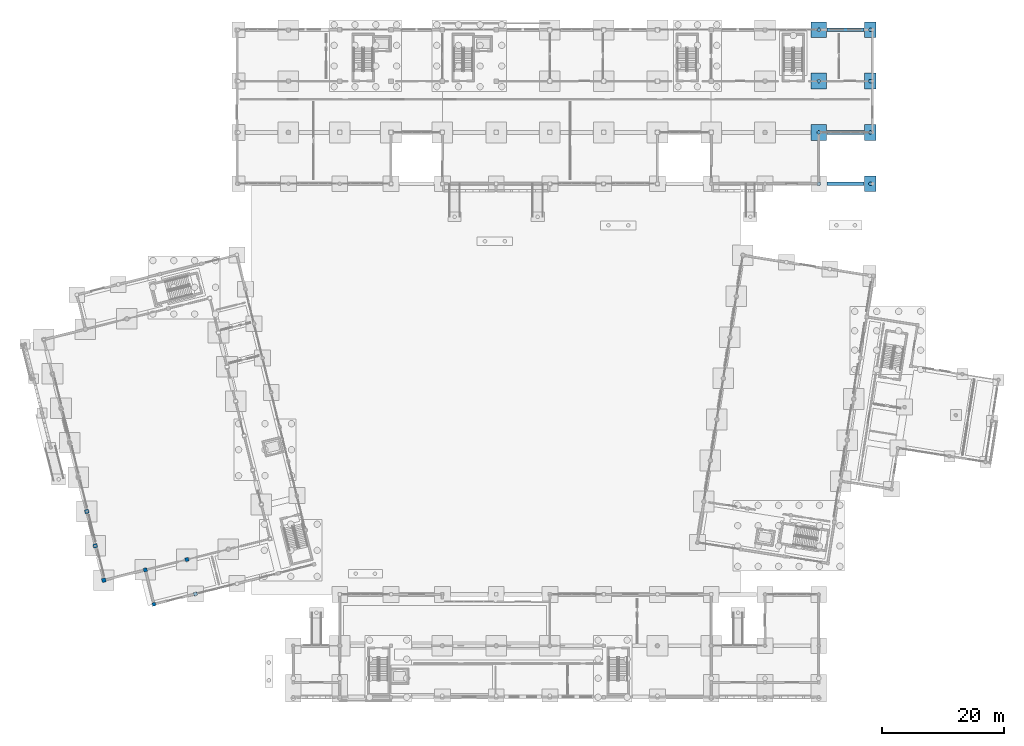
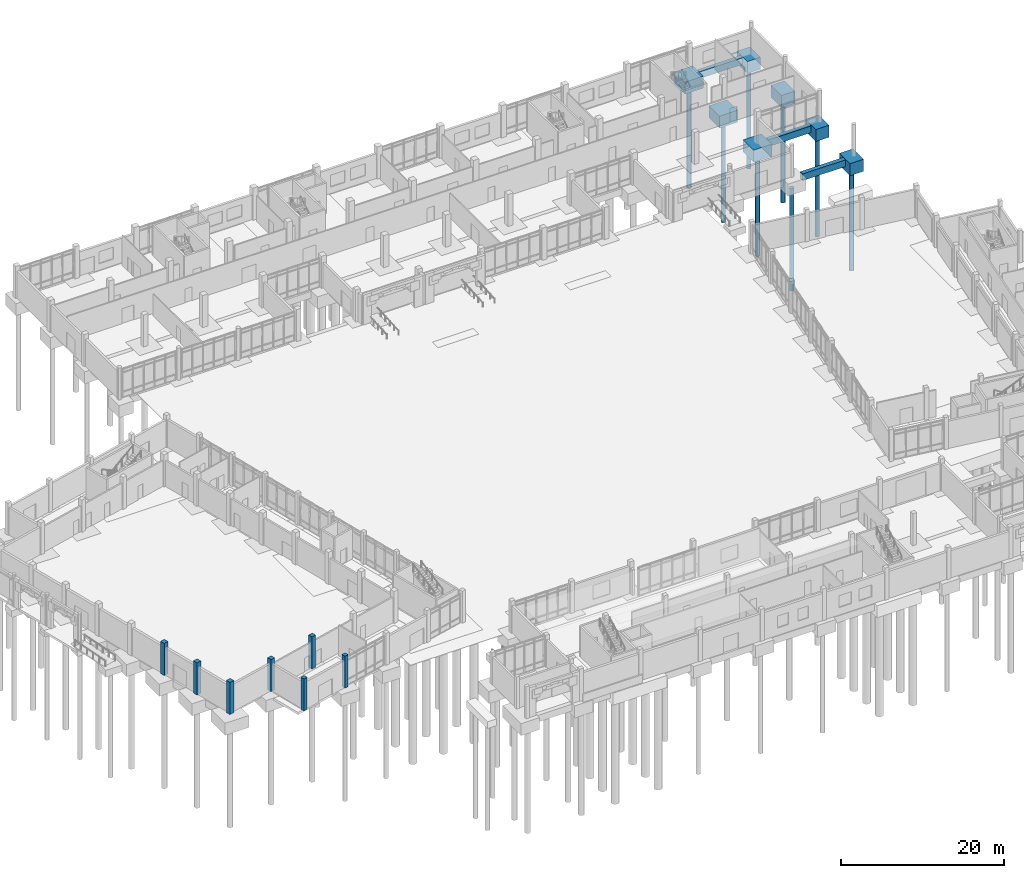
# One storey, part 4 of 72: 10 footings, 8 piles, 7 columns.
"""IFC4 building model written with IfcOpenShell, lengths in metres."""

from ifc_helpers import new_model, si_unit, direction, frame, origin, origin_2d, place, context, subcontext, project, spatial, rectangle, circle, extrude, material, material_profile, profile_set, type_object, element, save


model = new_model("IFC4")

# Units and contexts
model_context = context("Model", 3, precision=1e-05, world=origin(), true_north=direction((0.0, 1.0)))
body_context = subcontext(model_context, "Body", "Model", "MODEL_VIEW")
ifc_project = project(units=[si_unit("LENGTHUNIT", "METRE"), si_unit("AREAUNIT", "SQUARE_METRE"), si_unit("VOLUMEUNIT", "CUBIC_METRE"), si_unit("PLANEANGLEUNIT", "RADIAN"), si_unit("MASSUNIT", "GRAM", prefix="KILO")], contexts=[model_context])

# Site, building, storey
site_placement = place(None, origin())
site = spatial("IfcSite", under=ifc_project, at=site_placement, CompositionType="ELEMENT")
building_placement = place(site_placement, origin())
building = spatial("IfcBuilding", under=site, at=building_placement, Name="Cinderway Yard Community Centre", CompositionType="ELEMENT")
storey_placement = place(building_placement, origin())
storey = spatial("IfcBuildingStorey", under=building, at=storey_placement, Name="L00", CompositionType="ELEMENT", Elevation=0.0)

# Footings
ifc_material = material(Name="Concrete C40/50", Category="concrete")
footing_type_1 = type_object("IfcFootingType", Name="STR-FTG-PC06", PredefinedType="PILE_CAP", material=ifc_material)
for number, where, z_axis, x_axis, name in (
    (1, (136.800048828125, 98.39990234375, -1.7998046875), (0.0, 0.0, 1.0), (1.0, 0.0, 0.0), "Multi-pile cap 104"),
    (2, (136.800048828125, 106.800048828125, -1.7998046875), (0.0, 0.0, 1.0), (1.0, 0.0, 0.0), "Multi-pile cap 115"),
    (3, (136.800048828125, 115.199951171875, -1.7998046875), (0.0, 0.0, 1.0), (1.0, 0.0, 0.0), "Multi-pile cap 124"),
):
    element("IfcFooting", number, at=place(storey_placement, frame(where, z_axis=z_axis, x_axis=x_axis)), inside=storey, type_object=footing_type_1, Name=name, PredefinedType="PILE_CAP", context=body_context, shape_type="SweptSolid", body=[
        extrude(rectangle(XDim=2.580078125, YDim=2.580078125, at=origin_2d()), origin(), (0.0, 0.0, 1.0), 1.800048828125),
    ])
footing_type_2 = type_object("IfcFootingType", Name="STR-FTG-PC14", PredefinedType="PILE_CAP", material=ifc_material)
for number, where, z_axis, x_axis, name in (
    (4, (145.2548828125, 90.0, -1.7998046875), (0.0, 0.0, 1.0), (1.0, 0.0, 0.0), "Multi-pile cap 092"),
    (5, (145.2548828125, 98.39990234375, -1.7998046875), (0.0, 0.0, 1.0), (1.0, 0.0, 0.0), "Multi-pile cap 105"),
    (6, (145.2548828125, 106.800048828125, -1.7998046875), (0.0, 0.0, 1.0), (1.0, 0.0, 0.0), "Multi-pile cap 116"),
    (7, (145.2548828125, 115.199951171875, -1.7998046875), (0.0, 0.0, 1.0), (1.0, 0.0, 0.0), "Multi-pile cap 125"),
):
    element("IfcFooting", number, at=place(storey_placement, frame(where, z_axis=z_axis, x_axis=x_axis)), inside=storey, type_object=footing_type_2, Name=name, PredefinedType="PILE_CAP", context=body_context, shape_type="SweptSolid", body=[
        extrude(rectangle(XDim=1.889892578125, YDim=2.580078125, at=origin_2d()), origin(), (0.0, 0.0, 1.0), 1.800048828125),
    ])
footing_type_3 = type_object("IfcFootingType", Name="STR-FTG-TIE600", PredefinedType="FOOTING_BEAM", material=ifc_material)
for number, where, z_axis, x_axis, name in (
    (8, (141.199951171875, 98.39990234375, -1.0), (0.0, 0.0, 1.0), (1.0, 0.0, 0.0), "Seismic tie beam 012"),
    (9, (141.199951171875, 115.199951171875, -1.0), (0.0, 0.0, 1.0), (1.0, 0.0, 0.0), "Seismic tie beam 020"),
    (10, (141.199951171875, 90.0, -1.0), (0.0, 0.0, 1.0), (1.0, 0.0, 0.0), "Seismic tie beam 032"),
):
    element("IfcFooting", number, at=place(storey_placement, frame(where, z_axis=z_axis, x_axis=x_axis)), inside=storey, type_object=footing_type_3, Name=name, PredefinedType="FOOTING_BEAM", context=body_context, shape_type="SweptSolid", body=[
        extrude(rectangle(XDim=6.06005859375, YDim=0.60009765625, at=origin_2d()), origin(), (0.0, 0.0, 1.0), 1.0),
    ])

# Piles
ifc_material_profile_1 = material_profile(ifc_material, circle(Radius=0.300048828125, at=origin_2d()), Name="Concrete C40/50")
ifc_profile_set_1 = profile_set([ifc_material_profile_1], Name="Concrete C40/50")
pile_type = type_object("IfcPileType", Name="STR-PILE-D600", PredefinedType="BORED", material=ifc_profile_set_1)
for number, where, z_axis, x_axis, name in (
    (11, (136.800048828125, 90.0, -1.699951171875), (0.0, 0.0, -1.0), (1.0, 0.0, 0.0), "Bored pile 0175"),
    (12, (145.2548828125, 90.0, -1.699951171875), (0.0, 0.0, -1.0), (1.0, 0.0, 0.0), "Bored pile 0176"),
    (13, (136.800048828125, 98.39990234375, -1.699951171875), (0.0, 0.0, -1.0), (1.0, 0.0, 0.0), "Bored pile 0188"),
    (14, (145.2548828125, 98.39990234375, -1.699951171875), (0.0, 0.0, -1.0), (1.0, 0.0, 0.0), "Bored pile 0189"),
    (15, (136.800048828125, 106.800048828125, -1.699951171875), (0.0, 0.0, -1.0), (1.0, 0.0, 0.0), "Bored pile 0240"),
    (16, (145.2548828125, 106.800048828125, -1.699951171875), (0.0, 0.0, -1.0), (1.0, 0.0, 0.0), "Bored pile 0241"),
    (17, (136.800048828125, 115.199951171875, -1.699951171875), (0.0, 0.0, -1.0), (1.0, 0.0, 0.0), "Bored pile 0250"),
    (18, (145.2548828125, 115.199951171875, -1.699951171875), (0.0, 0.0, -1.0), (1.0, 0.0, 0.0), "Bored pile 0251"),
):
    element("IfcPile", number, at=place(storey_placement, frame(where, z_axis=z_axis, x_axis=x_axis)), inside=storey, type_object=pile_type, Name=name, PredefinedType="BORED", context=body_context, shape_type="SweptSolid", body=[
        extrude(circle(Radius=0.300048828125, at=origin_2d()), origin(), (0.0, 0.0, 1.0), 15.300048828125),
    ])

# Columns
ifc_material_profile_2 = material_profile(ifc_material, rectangle(XDim=0.550048828125, YDim=0.550048828125, at=origin_2d()), Name="Concrete C40/50")
ifc_profile_set_2 = profile_set([ifc_material_profile_2], Name="Concrete C40/50")
column_type_1 = type_object("IfcColumnType", Name="STR-COL-RC550", PredefinedType="COLUMN", material=ifc_profile_set_2)
for number, where, z_axis, x_axis, name in (
    (19, (28.0048828125, 21.18310546875, 0.0), (0.0, 0.0, 1.0), (0.970295726276, 0.2419218956, 0.0), "Column V1-CS-07 L00"),
    (20, (34.797119140625, 22.8759765625, 0.0), (0.0, 0.0, 1.0), (0.970295726276, 0.2419218956, 0.0), "Column V1-CS-14 L00"),
):
    element("IfcColumn", number, at=place(storey_placement, frame(where, z_axis=z_axis, x_axis=x_axis)), inside=storey, type_object=column_type_1, Name=name, PredefinedType="COLUMN", context=body_context, shape_type="SweptSolid", body=[
        extrude(rectangle(XDim=0.550048828125, YDim=0.550048828125, at=origin_2d()), origin(), (0.0, 0.0, 1.0), 4.800048828125),
    ])
ifc_material_profile_3 = material_profile(ifc_material, rectangle(XDim=0.60009765625, YDim=0.60009765625, at=origin_2d()), Name="Concrete C40/50")
ifc_profile_set_3 = profile_set([ifc_material_profile_3], Name="Concrete C40/50")
column_type_2 = type_object("IfcColumnType", Name="STR-COL-RC600", PredefinedType="COLUMN", material=ifc_profile_set_3)
for number, where, z_axis, x_axis, name in (
    (21, (26.60205078125, 26.81005859375, 0.0), (0.0, 0.0, 1.0), (0.970295726276, 0.2419218956, 0.0), "Column V1-GS-07 L00"),
    (22, (33.39404296875, 28.50390625, 0.0), (0.0, 0.0, 1.0), (0.970295726276, 0.2419218956, 0.0), "Column V1-GS-14 L00"),
):
    element("IfcColumn", number, at=place(storey_placement, frame(where, z_axis=z_axis, x_axis=x_axis)), inside=storey, type_object=column_type_2, Name=name, PredefinedType="COLUMN", context=body_context, shape_type="SweptSolid", body=[
        extrude(rectangle(XDim=0.60009765625, YDim=0.60009765625, at=origin_2d()), origin(), (0.0, 0.0, 1.0), 4.800048828125),
    ])
ifc_material_profile_4 = material_profile(ifc_material, rectangle(XDim=0.64990234375, YDim=0.64990234375, at=origin_2d()), Name="Concrete C40/50")
ifc_profile_set_4 = profile_set([ifc_material_profile_4], Name="Concrete C40/50")
column_type_3 = type_object("IfcColumnType", Name="STR-COL-RC650", PredefinedType="COLUMN", material=ifc_profile_set_4)
for number, where, z_axis, x_axis, name in (
    (23, (19.80908203125, 25.116943359375, 0.0), (0.0, 0.0, 1.0), (0.970295726276, 0.2419218956, 0.0), "Column V1-C-W01 L00"),
    (24, (18.406005859375, 30.7451171875, 0.0), (0.0, 0.0, 1.0), (0.970295726276, 0.2419218956, 0.0), "Column V1-C-W02 L00"),
    (25, (17.0029296875, 36.3720703125, 0.0), (0.0, 0.0, 1.0), (0.970295726276, 0.2419218956, 0.0), "Column V1-C-W03 L00"),
):
    element("IfcColumn", number, at=place(storey_placement, frame(where, z_axis=z_axis, x_axis=x_axis)), inside=storey, type_object=column_type_3, Name=name, PredefinedType="COLUMN", context=body_context, shape_type="SweptSolid", body=[
        extrude(rectangle(XDim=0.64990234375, YDim=0.64990234375, at=origin_2d()), origin(), (0.0, 0.0, 1.0), 4.800048828125),
    ])

save(model, "model.ifc")
